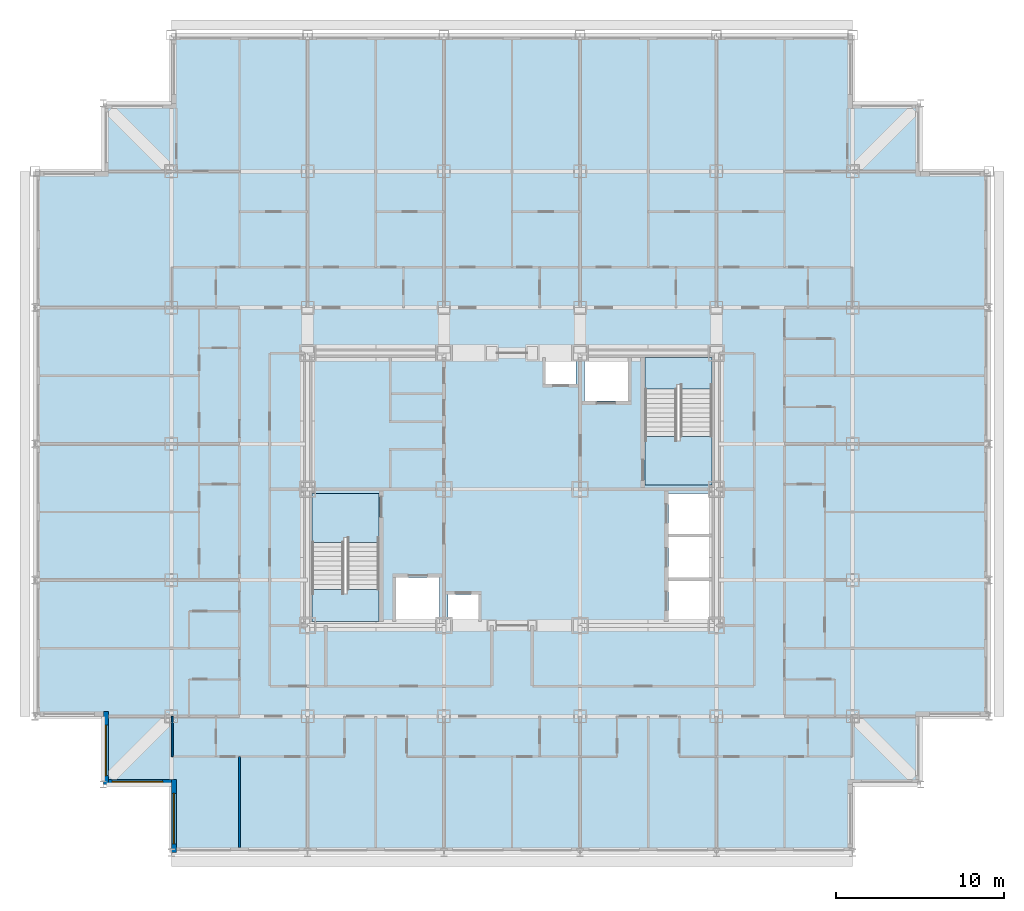
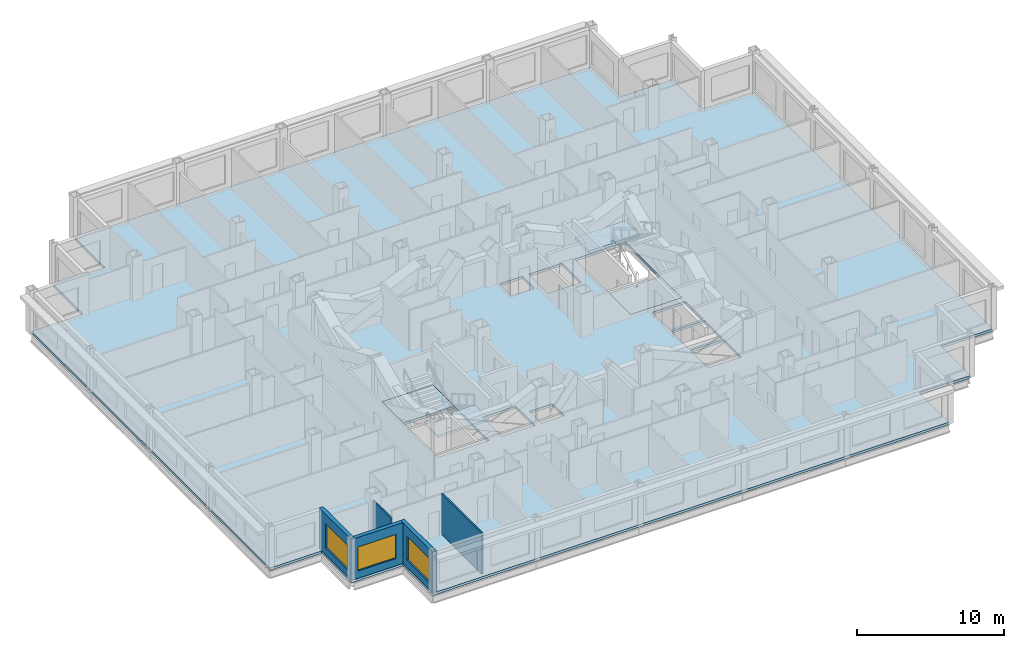
# One storey, part 3 of 12: 5 slabs, 5 walls, 3 windows, 3 openings, 2 elements without a shape of their own.
"""IFC4 building model written with IfcOpenShell, lengths in metres."""

from ifc_helpers import new_model, si_unit, direction, frame, frame_2d, origin, place, context, subcontext, project, spatial, polyline, rectangle, outline, extrude, material, layer, layer_set, type_object, element, fill, aggregate, save


model = new_model("IFC4")

# Units and contexts
model_context = context("Model", 3, precision=1e-05, world=origin(), true_north=direction((0.0, 1.0)))
body_context = subcontext(model_context, "Body", "Model", "MODEL_VIEW")
ifc_project = project(units=[si_unit("LENGTHUNIT", "METRE"), si_unit("AREAUNIT", "SQUARE_METRE"), si_unit("VOLUMEUNIT", "CUBIC_METRE"), si_unit("PLANEANGLEUNIT", "RADIAN"), si_unit("MASSUNIT", "GRAM", prefix="KILO")], contexts=[model_context])

# Site, building, storey
site_placement = place(None, origin())
site = spatial("IfcSite", under=ifc_project, at=site_placement, CompositionType="ELEMENT")
building_placement = place(site_placement, origin())
building = spatial("IfcBuilding", under=site, at=building_placement, Name="Kopane Lantern Tower", CompositionType="ELEMENT")
storey_placement = place(building_placement, frame((0.0, 0.0, 174.0)))
storey = spatial("IfcBuildingStorey", under=building, at=storey_placement, Name="L44", CompositionType="ELEMENT", Elevation=174.0)

# Slab
ifc_material_1 = material(Name="Concrete C40/50", Category="concrete")
ifc_layer_1 = layer(ifc_material_1, 0.2099609375)
ifc_layer_set_1 = layer_set([ifc_layer_1], Name="SLAB 210 COMPOSITE")
slab_type_1 = type_object("IfcSlabType", Name="SLAB 210 COMPOSITE", PredefinedType="FLOOR", material=ifc_layer_set_1)
slab_1_placement = place(storey_placement, frame((0.0, 0.0, -0.2099609375)))
element("IfcSlab", 1, at=slab_1_placement, inside=storey, type_object=slab_type_1, Name="Floor slab L44", PredefinedType="FLOOR", context=body_context, shape_type="SweptSolid", body=[
    extrude(outline(polyline([(8.10009765625, 10.800048828125), (48.60009765625, 10.800048828125), (48.60009765625, 14.85009765625), (52.64990234375, 14.85009765625), (52.64990234375, 18.89990234375), (56.699951171875, 18.89990234375), (56.699951171875, 51.300048828125), (52.64990234375, 51.300048828125), (52.64990234375, 55.35009765625), (48.60009765625, 55.35009765625), (48.60009765625, 59.39990234375), (8.10009765625, 59.39990234375), (8.10009765625, 55.35009765625), (4.050048828125, 55.35009765625), (4.050048828125, 51.300048828125), (0.0, 51.300048828125), (0.0, 18.89990234375), (4.050048828125, 18.89990234375), (4.050048828125, 14.85009765625), (8.10009765625, 14.85009765625), (8.10009765625, 10.800048828125)]), holes=[polyline([(16.449951171875, 24.550048828125), (20.449951171875, 24.550048828125), (20.449951171875, 32.14990234375), (16.449951171875, 32.14990234375), (16.449951171875, 24.550048828125)]), polyline([(36.25, 32.64990234375), (40.25, 32.64990234375), (40.25, 40.25), (36.25, 40.25), (36.25, 32.64990234375)]), polyline([(37.64990234375, 24.550048828125), (40.25, 24.550048828125), (40.25, 26.949951171875), (37.64990234375, 26.949951171875), (37.64990234375, 24.550048828125)]), polyline([(37.64990234375, 27.14990234375), (40.25, 27.14990234375), (40.25, 29.550048828125), (37.64990234375, 29.550048828125), (37.64990234375, 27.14990234375)]), polyline([(37.64990234375, 29.75), (40.25, 29.75), (40.25, 32.14990234375), (37.64990234375, 32.14990234375), (37.64990234375, 29.75)]), polyline([(21.449951171875, 24.550048828125), (24.050048828125, 24.550048828125), (24.050048828125, 27.14990234375), (21.449951171875, 27.14990234375), (21.449951171875, 24.550048828125)]), polyline([(32.64990234375, 37.64990234375), (35.25, 37.64990234375), (35.25, 40.25), (32.64990234375, 40.25), (32.64990234375, 37.64990234375)]), polyline([(24.550048828125, 24.550048828125), (26.35009765625, 24.550048828125), (26.35009765625, 26.14990234375), (24.550048828125, 26.14990234375), (24.550048828125, 24.550048828125)]), polyline([(30.35009765625, 38.64990234375), (32.14990234375, 38.64990234375), (32.14990234375, 40.25), (30.35009765625, 40.25), (30.35009765625, 38.64990234375)])]), origin(), (0.0, 0.0, 1.0), 0.2099609375),
])

# Stair, slabs
ifc_material_2 = material(Name="Steel S355JR", Category="steel")
stair_type = type_object("IfcStairType", Name="EXIT STAIR 1900 HALF TURN", PredefinedType="HALF_TURN_STAIR", material=ifc_material_2)
stair_1_placement = place(storey_placement, origin())
stair_1 = element("IfcStair", 2, at=stair_1_placement, inside=storey, type_object=stair_type, Name="Exit stair ST1 L44", PredefinedType="HALF_TURN_STAIR")
ifc_material_3 = material(Name="Concrete C40/50", Category="concrete")
ifc_layer_2 = layer(ifc_material_3, 0.199951171875)
ifc_layer_set_2 = layer_set([ifc_layer_2], Name="STAIR LANDING 200")
slab_type_2 = type_object("IfcSlabType", Name="STAIR LANDING 200", PredefinedType="LANDING", material=ifc_layer_set_2)
slab_2_placement = place(storey_placement, frame((0.0, 0.0, -0.199951171875)))
slab_2 = element("IfcSlab", 3, at=slab_2_placement, type_object=slab_type_2, Name="ST1 landing 1", PredefinedType="LANDING", context=body_context, shape_type="SweptSolid", body=[
    extrude(outline(polyline([(18.35009765625, 29.530029296875), (18.550048828125, 29.530029296875), (18.550048828125, 29.25), (20.449951171875, 29.25), (20.449951171875, 32.14990234375), (16.449951171875, 32.14990234375), (16.449951171875, 29.25), (18.35009765625, 29.25), (18.35009765625, 29.530029296875)])), origin(), (0.0, 0.0, 1.0), 0.199951171875),
])
slab_3_placement = place(storey_placement, frame((0.0, 0.0, 1.60009765625)))
slab_3 = element("IfcSlab", 4, at=slab_3_placement, type_object=slab_type_2, Name="ST1 landing 2", PredefinedType="LANDING", context=body_context, shape_type="SweptSolid", body=[
    extrude(outline(polyline([(20.449951171875, 26.449951171875), (18.550048828125, 26.449951171875), (18.550048828125, 26.169921875), (18.35009765625, 26.169921875), (18.35009765625, 26.449951171875), (16.449951171875, 26.449951171875), (16.449951171875, 24.550048828125), (20.449951171875, 24.550048828125), (20.449951171875, 26.449951171875)])), origin(), (0.0, 0.0, 1.0), 0.199951171875),
])
aggregate(stair_1, [slab_2, slab_3])

stair_2_placement = place(storey_placement, origin())
stair_2 = element("IfcStair", 5, at=stair_2_placement, inside=storey, type_object=stair_type, Name="Exit stair ST2 L44", PredefinedType="HALF_TURN_STAIR")
slab_4_placement = place(storey_placement, frame((0.0, 0.0, -0.199951171875)))
slab_4 = element("IfcSlab", 6, at=slab_4_placement, type_object=slab_type_2, Name="ST2 landing 1", PredefinedType="LANDING", context=body_context, shape_type="SweptSolid", body=[
    extrude(outline(polyline([(40.25, 35.550048828125), (38.35009765625, 35.550048828125), (38.35009765625, 35.27001953125), (38.14990234375, 35.27001953125), (38.14990234375, 35.550048828125), (36.25, 35.550048828125), (36.25, 32.64990234375), (40.25, 32.64990234375), (40.25, 35.550048828125)])), origin(), (0.0, 0.0, 1.0), 0.199951171875),
])
slab_5_placement = place(storey_placement, frame((0.0, 0.0, 1.60009765625)))
slab_5 = element("IfcSlab", 7, at=slab_5_placement, type_object=slab_type_2, Name="ST2 landing 2", PredefinedType="LANDING", context=body_context, shape_type="SweptSolid", body=[
    extrude(outline(polyline([(38.14990234375, 38.6298828125), (38.35009765625, 38.6298828125), (38.35009765625, 38.35009765625), (40.25, 38.35009765625), (40.25, 40.25), (36.25, 40.25), (36.25, 38.35009765625), (38.14990234375, 38.35009765625), (38.14990234375, 38.6298828125)])), origin(), (0.0, 0.0, 1.0), 0.199951171875),
])
aggregate(stair_2, [slab_4, slab_5])

# Walls
ifc_material_4 = material(Name="Gypsum board on steel studs", Category="steel")
ifc_layer_3 = layer(ifc_material_4, 0.1201171875)
ifc_layer_set_3 = layer_set([ifc_layer_3], Name="APARTMENT INTERNAL WALL 120")
wall_type_1 = type_object("IfcWallType", Name="APARTMENT INTERNAL WALL 120", PredefinedType="PARTITIONING", material=ifc_layer_set_3)
wall_1_placement = place(storey_placement, frame((12.14990234375, 16.5, 0.0), z_axis=(0.0, 0.0, 1.0), x_axis=(0.0, -1.0, 0.0)))
element("IfcWall", 8, at=wall_1_placement, inside=storey, type_object=wall_type_1, Name="Apartment Internal Wall 120 L44", PredefinedType="PARTITIONING", context=body_context, shape_type="SweptSolid", body=[
    extrude(rectangle(XDim=5.39990234375, YDim=0.1201171875, at=frame_2d((2.699951171875, 0.0))), origin(), (0.0, 0.0, 1.0), 3.389892578125),
])
ifc_material_5 = material(Name="Moisture-resistant board on steel studs", Category="steel")
ifc_layer_4 = layer(ifc_material_5, 0.10009765625)
ifc_layer_set_4 = layer_set([ifc_layer_4], Name="BATHROOM WALL 100")
wall_type_2 = type_object("IfcWallType", Name="BATHROOM WALL 100", PredefinedType="PARTITIONING", material=ifc_layer_set_4)
wall_2_placement = place(storey_placement, frame((8.14990234375, 18.89990234375, 0.0), z_axis=(0.0, 0.0, 1.0), x_axis=(0.0, -1.0, 0.0)))
element("IfcWall", 9, at=wall_2_placement, inside=storey, type_object=wall_type_2, Name="Bathroom Wall 100 L44", PredefinedType="PARTITIONING", context=body_context, shape_type="SweptSolid", body=[
    extrude(rectangle(XDim=2.39990234375, YDim=0.10009765625, at=frame_2d((1.199951171875, 0.0))), origin(), (0.0, 0.0, 1.0), 2.77783203125),
])

# Wall, opening, window
ifc_material_6 = material(Name="Terracotta rainscreen on light steel framing", Category="masonry")
ifc_layer_5 = layer(ifc_material_6, 0.300048828125)
ifc_layer_set_5 = layer_set([ifc_layer_5], Name="EXTERNAL WALL EW1 300 TERRACOTTA")
wall_type_3 = type_object("IfcWallType", Name="EXTERNAL WALL EW1 300 TERRACOTTA", PredefinedType="SOLIDWALL", material=ifc_layer_set_5)
wall_3_placement = place(storey_placement, frame((4.199951171875, 19.199951171875, 0.0), z_axis=(0.0, 0.0, 1.0), x_axis=(0.0, -1.0, 0.0)))
wall_3 = element("IfcWall", 10, at=wall_3_placement, inside=storey, type_object=wall_type_3, Name="External wall W L44", PredefinedType="SOLIDWALL", context=body_context, shape_type="SweptSolid", body=[
    extrude(rectangle(XDim=4.349853515625, YDim=0.300048828125, at=frame_2d((2.1748046875, 0.0))), origin(), (0.0, 0.0, 1.0), 3.389892578125),
])
opening_1_placement = place(wall_3_placement, frame((0.824951171875, 0.0, 0.60009765625)))
opening_1 = element("IfcOpeningElement", 11, at=opening_1_placement, cuts=wall_3, Name="Opening WR300200", PredefinedType="OPENING", context=body_context, shape_type="SweptSolid", body=[
    extrude(rectangle(XDim=3.0, YDim=2.0, at=frame_2d((1.5, 1.0))), frame((0.0, 0.159912109375, 0.0), z_axis=(0.0, -1.0, 0.0), x_axis=(1.0, 0.0, 0.0)), (0.0, 0.0, 1.0), 0.320068359375),
])
ifc_material_7 = material(Name="Aluminium and clear glass", Category="aluminium")
window_type = type_object("IfcWindowType", Name="RIBBON WINDOW WR300200 3000x2000", PartitioningType="SINGLE_PANEL", PredefinedType="WINDOW", material=ifc_material_7)
window_1_placement = place(opening_1_placement, origin())
window_1 = element("IfcWindow", 12, at=window_1_placement, inside=storey, type_object=window_type, Name="Window W L44", OverallHeight=2.0, OverallWidth=3.0, PartitioningType="SINGLE_PANEL", PredefinedType="WINDOW", context=body_context, shape_type="SweptSolid", body=[
    extrude(rectangle(XDim=3.0, YDim=2.0, at=frame_2d((1.5, 1.0))), frame((0.0, 0.030029296875, 0.0), z_axis=(0.0, -1.0, 0.0), x_axis=(1.0, 0.0, 0.0)), (0.0, 0.0, 1.0), 0.06005859375),
])
fill(opening_1, window_1)

wall_4_placement = place(storey_placement, frame((4.35009765625, 15.0, 0.0), z_axis=(0.0, 0.0, 1.0), x_axis=(1.0, 0.0, 0.0)))
wall_4 = element("IfcWall", 13, at=wall_4_placement, inside=storey, type_object=wall_type_3, Name="External wall S L44", PredefinedType="SOLIDWALL", context=body_context, shape_type="SweptSolid", body=[
    extrude(rectangle(XDim=3.75, YDim=0.300048828125, at=frame_2d((1.875, 0.0))), origin(), (0.0, 0.0, 1.0), 3.389892578125),
])
opening_2_placement = place(wall_4_placement, frame((0.22509765625, 0.0, 0.60009765625)))
opening_2 = element("IfcOpeningElement", 14, at=opening_2_placement, cuts=wall_4, Name="Opening WR300200", PredefinedType="OPENING", context=body_context, shape_type="SweptSolid", body=[
    extrude(rectangle(XDim=3.0, YDim=2.0, at=frame_2d((1.5, 1.0))), frame((0.0, 0.159912109375, 0.0), z_axis=(0.0, -1.0, 0.0), x_axis=(1.0, 0.0, 0.0)), (0.0, 0.0, 1.0), 0.320068359375),
])
window_2_placement = place(opening_2_placement, origin())
window_2 = element("IfcWindow", 15, at=window_2_placement, inside=storey, type_object=window_type, Name="Window S L44", OverallHeight=2.0, OverallWidth=3.0, PartitioningType="SINGLE_PANEL", PredefinedType="WINDOW", context=body_context, shape_type="SweptSolid", body=[
    extrude(rectangle(XDim=3.0, YDim=2.0, at=frame_2d((1.5, 1.0))), frame((0.0, 0.030029296875, 0.0), z_axis=(0.0, -1.0, 0.0), x_axis=(1.0, 0.0, 0.0)), (0.0, 0.0, 1.0), 0.06005859375),
])
fill(opening_2, window_2)

wall_5_placement = place(storey_placement, frame((8.25, 15.14990234375, 0.0), z_axis=(0.0, 0.0, 1.0), x_axis=(0.0, -1.0, 0.0)))
wall_5 = element("IfcWall", 16, at=wall_5_placement, inside=storey, type_object=wall_type_3, Name="External wall W L44", PredefinedType="SOLIDWALL", context=body_context, shape_type="SweptSolid", body=[
    extrude(rectangle(XDim=4.349853515625, YDim=0.300048828125, at=frame_2d((2.1748046875, 0.0))), origin(), (0.0, 0.0, 1.0), 3.389892578125),
])
opening_3_placement = place(wall_5_placement, frame((0.824951171875, 0.0, 0.60009765625)))
opening_3 = element("IfcOpeningElement", 17, at=opening_3_placement, cuts=wall_5, Name="Opening WR300200", PredefinedType="OPENING", context=body_context, shape_type="SweptSolid", body=[
    extrude(rectangle(XDim=3.0, YDim=2.0, at=frame_2d((1.5, 1.0))), frame((0.0, 0.159912109375, 0.0), z_axis=(0.0, -1.0, 0.0), x_axis=(1.0, 0.0, 0.0)), (0.0, 0.0, 1.0), 0.320068359375),
])
window_3_placement = place(opening_3_placement, origin())
window_3 = element("IfcWindow", 18, at=window_3_placement, inside=storey, type_object=window_type, Name="Window W L44", OverallHeight=2.0, OverallWidth=3.0, PartitioningType="SINGLE_PANEL", PredefinedType="WINDOW", context=body_context, shape_type="SweptSolid", body=[
    extrude(rectangle(XDim=3.0, YDim=2.0, at=frame_2d((1.5, 1.0))), frame((0.0, 0.030029296875, 0.0), z_axis=(0.0, -1.0, 0.0), x_axis=(1.0, 0.0, 0.0)), (0.0, 0.0, 1.0), 0.06005859375),
])
fill(opening_3, window_3)

save(model, "model.ifc")
